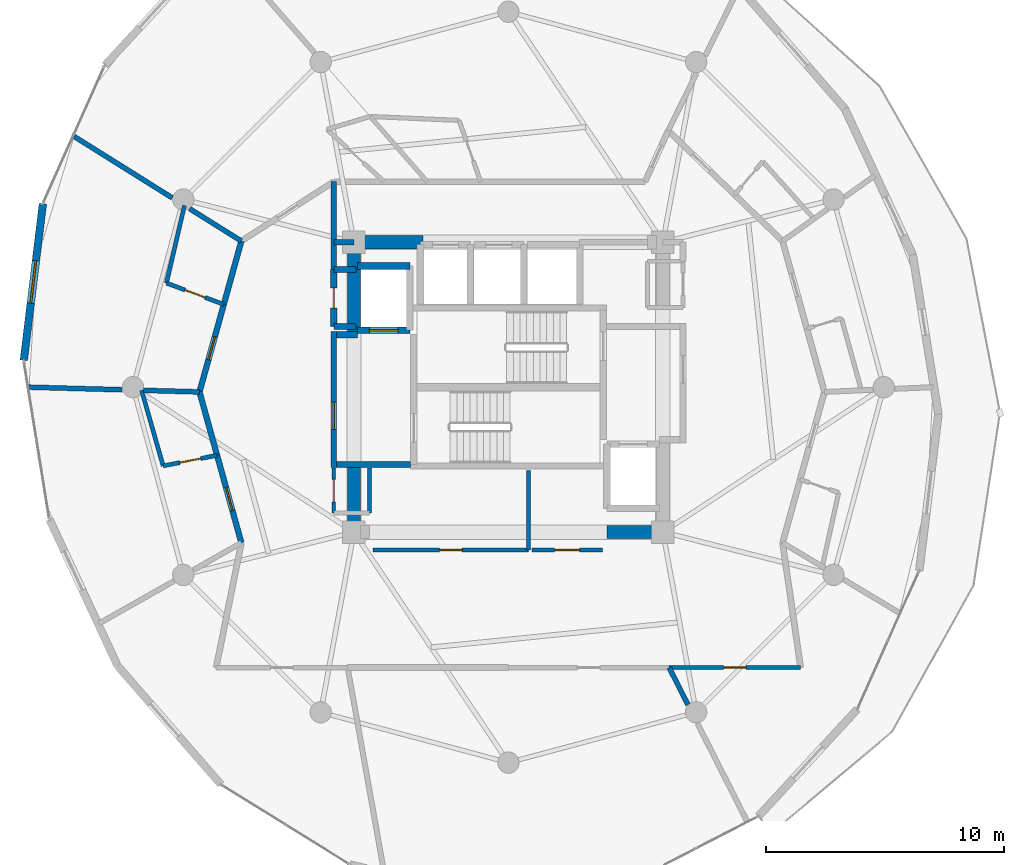
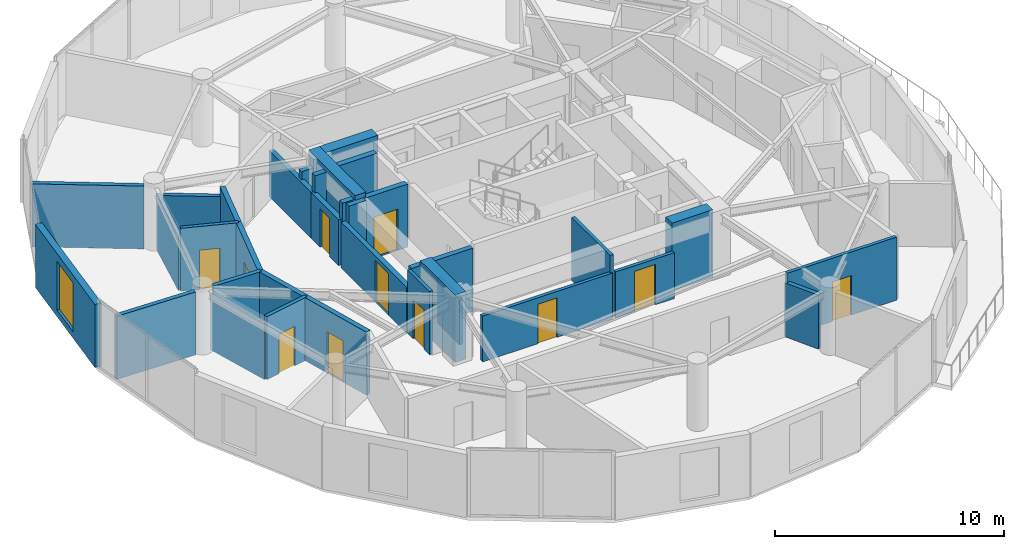
# One storey, part 17 of 22: 34 walls, 11 doors, 1 window, 12 openings.
"""IFC4 building model written with IfcOpenShell, lengths in metres."""

from ifc_helpers import new_model, si_unit, direction, frame, frame_2d, origin, place, context, subcontext, project, spatial, rectangle, extrude, material, layer, layer_set, type_object, element, fill, save


model = new_model("IFC4")

# Units and contexts
model_context = context("Model", 3, precision=1e-05, world=origin(), true_north=direction((0.0, 1.0)))
body_context = subcontext(model_context, "Body", "Model", "MODEL_VIEW")
ifc_project = project(units=[si_unit("LENGTHUNIT", "METRE"), si_unit("AREAUNIT", "SQUARE_METRE"), si_unit("VOLUMEUNIT", "CUBIC_METRE"), si_unit("PLANEANGLEUNIT", "RADIAN"), si_unit("MASSUNIT", "GRAM", prefix="KILO")], contexts=[model_context])

# Site, building, storey
site_placement = place(None, origin())
site = spatial("IfcSite", under=ifc_project, at=site_placement, CompositionType="ELEMENT")
building_placement = place(site_placement, origin())
building = spatial("IfcBuilding", under=site, at=building_placement, Name="Solvirekh Grand Hotel", CompositionType="ELEMENT")
storey_placement = place(building_placement, frame((0.0, 0.0, 227.199951171875)))
storey = spatial("IfcBuildingStorey", under=building, at=storey_placement, Name="L59", CompositionType="ELEMENT", Elevation=227.199951171875)

# Wall, opening, door
ifc_material_1 = material(Name="Concrete C40/50", Category="concrete")
ifc_layer_1 = layer(ifc_material_1, 0.280029296875)
ifc_layer_set_1 = layer_set([ifc_layer_1], Name="Concrete C40/50")
wall_type_1 = type_object("IfcWallType", Name="CoreShaftWall_RC280", PredefinedType="SOLIDWALL", material=ifc_layer_set_1)
wall_1_placement = place(storey_placement, frame((-6.35009765625, 2.39990234375, 0.0), z_axis=(0.0, 0.0, 1.0), x_axis=(1.0, 0.0, 0.0)))
wall_1 = element("IfcWall", 1, at=wall_1_placement, inside=storey, type_object=wall_type_1, Name="L59 FL-1 hoistway S wall", PredefinedType="SOLIDWALL", context=body_context, shape_type="SweptSolid", body=[
    extrude(rectangle(XDim=2.2001953125, YDim=0.280029296875, at=frame_2d((1.10009765625, 0.0))), origin(), (0.0, 0.0, 1.0), 3.360107421875),
])
opening_1_placement = place(wall_1_placement, frame((0.5, 0.0, 0.0)))
opening_1 = element("IfcOpeningElement", 2, at=opening_1_placement, cuts=wall_1, Name="Opening LD02", PredefinedType="OPENING", context=body_context, shape_type="SweptSolid", body=[
    extrude(rectangle(XDim=1.199951171875, YDim=2.199951171875, at=frame_2d((0.60009765625, 1.10009765625))), frame((0.0, 0.14990234375, 0.0), z_axis=(0.0, -1.0, 0.0), x_axis=(1.0, 0.0, 0.0)), (0.0, 0.0, 1.0), 0.300048828125),
])
ifc_material_2 = material(Name="Fire-Rated Steel Door Assembly", Category="steel")
door_type_1 = type_object("IfcDoorType", Name="Door_LiftFF_1200X2200", OperationType="SLIDING_TO_LEFT", PredefinedType="DOOR", material=ifc_material_2)
door_1_placement = place(opening_1_placement, origin())
door_1 = element("IfcDoor", 3, at=door_1_placement, inside=storey, type_object=door_type_1, Name="L59 FL-1 sliding lift landing door", OperationType="SLIDING_TO_LEFT", OverallHeight=2.199951171875, OverallWidth=1.199951171875, PredefinedType="DOOR", context=body_context, shape_type="SweptSolid", body=[
    extrude(rectangle(XDim=1.199951171875, YDim=2.199951171875, at=frame_2d((0.60009765625, 1.10009765625))), frame((0.0, 0.02490234375, 0.0), z_axis=(0.0, -1.0, 0.0), x_axis=(1.0, 0.0, 0.0)), (0.0, 0.0, 1.0), 0.050048828125),
])
fill(opening_1, door_1)

# Walls
wall_2_placement = place(storey_placement, frame((-4.14990234375, 5.10009765625, 0.0), z_axis=(0.0, 0.0, 1.0), x_axis=(-1.0, 0.0, 0.0)))
element("IfcWall", 4, at=wall_2_placement, inside=storey, type_object=wall_type_1, Name="L59 FL-1 hoistway N wall", PredefinedType="SOLIDWALL", context=body_context, shape_type="SweptSolid", body=[
    extrude(rectangle(XDim=2.2001953125, YDim=0.280029296875, at=frame_2d((1.10009765625, 0.0))), origin(), (0.0, 0.0, 1.0), 3.360107421875),
])
ifc_material_3 = material(Name="Concrete C50/60", Category="concrete")
ifc_layer_2 = layer(ifc_material_3, 0.550048828125)
ifc_layer_set_2 = layer_set([ifc_layer_2], Name="Concrete C50/60")
wall_type_2 = type_object("IfcWallType", Name="CoreWall_RC550", PredefinedType="SHEAR", material=ifc_layer_set_2)
wall_3_placement = place(storey_placement, frame((4.14990234375, -6.10009765625, 0.0), z_axis=(0.0, 0.0, 1.0), x_axis=(1.0, 0.0, 0.0)))
element("IfcWall", 5, at=wall_3_placement, inside=storey, type_object=wall_type_2, Name="L59 core corner shear wall SE-S", PredefinedType="SHEAR", context=body_context, shape_type="SweptSolid", body=[
    extrude(rectangle(XDim=2.0751953125, YDim=0.550048828125, at=frame_2d((1.03759765625, 0.0))), origin(), (0.0, 0.0, 1.0), 3.60009765625),
])
wall_4_placement = place(storey_placement, frame((-6.22509765625, 6.10009765625, 0.0), z_axis=(0.0, 0.0, 1.0), x_axis=(1.0, 0.0, 0.0)))
element("IfcWall", 6, at=wall_4_placement, inside=storey, type_object=wall_type_2, Name="L59 core corner shear wall NW-N", PredefinedType="SHEAR", context=body_context, shape_type="SweptSolid", body=[
    extrude(rectangle(XDim=2.625, YDim=0.550048828125, at=frame_2d((1.3125, 0.0))), origin(), (0.0, 0.0, 1.0), 3.60009765625),
])
wall_5_placement = place(storey_placement, frame((-6.5, 2.35009765625, 0.0), z_axis=(0.0, 0.0, 1.0), x_axis=(0.0, 1.0, 0.0)))
element("IfcWall", 7, at=wall_5_placement, inside=storey, type_object=wall_type_2, Name="L59 core corner shear wall WN-W", PredefinedType="SHEAR", context=body_context, shape_type="SweptSolid", body=[
    extrude(rectangle(XDim=4.02490234375, YDim=0.550048828125, at=frame_2d((2.012451171875, 0.0))), origin(), (0.0, 0.0, 1.0), 3.60009765625),
])
wall_6_placement = place(storey_placement, frame((-6.5, -6.375, 0.0), z_axis=(0.0, 0.0, 1.0), x_axis=(0.0, 1.0, 0.0)))
element("IfcWall", 8, at=wall_6_placement, inside=storey, type_object=wall_type_2, Name="L59 core corner shear wall WS-W", PredefinedType="SHEAR", context=body_context, shape_type="SweptSolid", body=[
    extrude(rectangle(XDim=3.02490234375, YDim=0.550048828125, at=frame_2d((1.512451171875, 0.0))), origin(), (0.0, 0.0, 1.0), 3.60009765625),
])

# Wall, opening, window
ifc_material_4 = material(Name="Precast concrete C45/55", Category="concrete")
ifc_layer_3 = layer(ifc_material_4, 0.320068359375)
ifc_layer_set_3 = layer_set([ifc_layer_3], Name="Precast concrete C45/55")
wall_type_3 = type_object("IfcWallType", Name="ExtLobbyWall_RC320", PredefinedType="SOLIDWALL", material=ifc_layer_set_3)
wall_7_placement = place(storey_placement, frame((-20.39599609375, 1.131103515625, 0.0), z_axis=(0.0, 0.0, 1.0), x_axis=(0.12099160472, 0.992653530486, 0.0)))
wall_7 = element("IfcWall", 9, at=wall_7_placement, inside=storey, type_object=wall_type_3, Name="L59 exterior structural wall chord 14", PredefinedType="SOLIDWALL", context=body_context, shape_type="SweptSolid", body=[
    extrude(rectangle(XDim=6.63671875, YDim=0.320068359375, at=frame_2d((3.318359375, 0.0))), origin(), (0.0, 0.0, 1.0), 3.360107421875),
])
opening_2_placement = place(wall_7_placement, frame((2.41796875, 0.0, 0.35009765625)))
opening_2 = element("IfcOpeningElement", 10, at=opening_2_placement, cuts=wall_7, Name="Opening W02", PredefinedType="OPENING", context=body_context, shape_type="SweptSolid", body=[
    extrude(rectangle(XDim=1.800048828125, YDim=2.60009765625, at=frame_2d((0.89990234375, 1.300048828125))), frame((0.0, 0.169921875, 0.0), z_axis=(0.0, -1.0, 0.0), x_axis=(1.0, 0.0, 0.0)), (0.0, 0.0, 1.0), 0.340087890625),
])
ifc_material_5 = material(Name="Low-E Tinted Bronze Laminated Glass", Category="aluminium")
window_type = type_object("IfcWindowType", Name="Win_LobbyExt_1800X2600", PartitioningType="SINGLE_PANEL", PredefinedType="WINDOW", material=ifc_material_5)
window_placement = place(opening_2_placement, origin())
window = element("IfcWindow", 11, at=window_placement, inside=storey, type_object=window_type, Name="L59 panoramic bronze-framed window 14", OverallHeight=2.60009765625, OverallWidth=1.800048828125, PartitioningType="SINGLE_PANEL", PredefinedType="WINDOW", context=body_context, shape_type="SweptSolid", body=[
    extrude(rectangle(XDim=1.800048828125, YDim=2.60009765625, at=frame_2d((0.89990234375, 1.300048828125))), frame((0.0, 0.030029296875, 0.0), z_axis=(0.0, -1.0, 0.0), x_axis=(1.0, 0.0, 0.0)), (0.0, 0.0, 1.0), 0.06005859375),
])
fill(opening_2, window)

# Wall
ifc_material_6 = material(Name="Acoustic Gypsum Partition Assembly")
ifc_layer_4 = layer(ifc_material_6, 0.1650390625)
ifc_layer_set_4 = layer_set([ifc_layer_4], Name="Acoustic Gypsum Partition Assembly")
wall_type_4 = type_object("IfcWallType", Name="Part_BOH_165", PredefinedType="PARTITIONING", material=ifc_layer_set_4)
wall_8_placement = place(storey_placement, frame((-5.85009765625, -5.300048828125, 0.0), z_axis=(0.0, 0.0, 1.0), x_axis=(0.0, 1.0, 0.0)))
element("IfcWall", 12, at=wall_8_placement, inside=storey, type_object=wall_type_4, Name="L59 L59 Butler Service Closet wall 2", PredefinedType="PARTITIONING", context=body_context, shape_type="SweptSolid", body=[
    extrude(rectangle(XDim=1.900146484375, YDim=0.1650390625, at=frame_2d((0.9501953125, 0.0))), origin(), (0.0, 0.0, 1.0), 2.445068359375),
])

# Wall, opening, door
wall_9_placement = place(storey_placement, frame((-7.35009765625, -3.39990234375, 0.0), z_axis=(0.0, 0.0, 1.0), x_axis=(0.0, -1.0, 0.0)))
wall_9 = element("IfcWall", 13, at=wall_9_placement, inside=storey, type_object=wall_type_4, Name="L59 L59 Butler Service Closet wall 4", PredefinedType="PARTITIONING", context=body_context, shape_type="SweptSolid", body=[
    extrude(rectangle(XDim=1.900146484375, YDim=0.1650390625, at=frame_2d((0.9501953125, 0.0))), origin(), (0.0, 0.0, 1.0), 3.360107421875),
])
opening_3_placement = place(wall_9_placement, frame((0.47509765625, 0.0, 0.0)))
opening_3 = element("IfcOpeningElement", 14, at=opening_3_placement, cuts=wall_9, Name="Opening D10", PredefinedType="OPENING", context=body_context, shape_type="SweptSolid", body=[
    extrude(rectangle(XDim=0.949951171875, YDim=2.10009765625, at=frame_2d((0.47509765625, 1.050048828125))), frame((0.0, 0.092529296875, 0.0), z_axis=(0.0, -1.0, 0.0), x_axis=(1.0, 0.0, 0.0)), (0.0, 0.0, 1.0), 0.18505859375),
])
ifc_material_7 = material(Name="Anodized Bronze Aluminium 6063-T6", Category="aluminium")
door_type_2 = type_object("IfcDoorType", Name="Door_RoomInt_950X2100", OperationType="NOTDEFINED", PredefinedType="DOOR", material=ifc_material_7)
door_2_placement = place(opening_3_placement, origin())
door_2 = element("IfcDoor", 15, at=door_2_placement, inside=storey, type_object=door_type_2, Name="L59 L59 Butler Service Closet door", OperationType="SINGLE_SWING_LEFT", OverallHeight=2.10009765625, OverallWidth=0.949951171875, PredefinedType="DOOR", context=body_context, shape_type="SweptSolid", body=[
    extrude(rectangle(XDim=0.949951171875, YDim=2.10009765625, at=frame_2d((0.47509765625, 1.050048828125))), frame((0.0, 0.02490234375, 0.0), z_axis=(0.0, -1.0, 0.0), x_axis=(1.0, 0.0, 0.0)), (0.0, 0.0, 1.0), 0.050048828125),
])
fill(opening_3, door_2)

wall_10_placement = place(storey_placement, frame((-5.699951171875, -6.85009765625, 0.0), z_axis=(0.0, 0.0, 1.0), x_axis=(1.0, 0.0, 0.0)))
wall_10 = element("IfcWall", 16, at=wall_10_placement, inside=storey, type_object=wall_type_4, Name="L59 Housekeeping Linen Room wall 1", PredefinedType="PARTITIONING", context=body_context, shape_type="SweptSolid", body=[
    extrude(rectangle(XDim=6.550048828125, YDim=0.1650390625, at=frame_2d((3.27490234375, 0.0))), origin(), (0.0, 0.0, 1.0), 2.445068359375),
])
opening_4_placement = place(wall_10_placement, frame((2.800048828125, 0.0, 0.0)))
opening_4 = element("IfcOpeningElement", 17, at=opening_4_placement, cuts=wall_10, Name="Opening D10", PredefinedType="OPENING", context=body_context, shape_type="SweptSolid", body=[
    extrude(rectangle(XDim=0.949951171875, YDim=2.10009765625, at=frame_2d((0.47509765625, 1.050048828125))), frame((0.0, 0.092529296875, 0.0), z_axis=(0.0, -1.0, 0.0), x_axis=(1.0, 0.0, 0.0)), (0.0, 0.0, 1.0), 0.18505859375),
])
door_3_placement = place(opening_4_placement, origin())
door_3 = element("IfcDoor", 18, at=door_3_placement, inside=storey, type_object=door_type_2, Name="L59 Housekeeping Linen Room door", OperationType="SINGLE_SWING_LEFT", OverallHeight=2.10009765625, OverallWidth=0.949951171875, PredefinedType="DOOR", context=body_context, shape_type="SweptSolid", body=[
    extrude(rectangle(XDim=0.949951171875, YDim=2.10009765625, at=frame_2d((0.47509765625, 1.050048828125))), frame((0.0, 0.02490234375, 0.0), z_axis=(0.0, -1.0, 0.0), x_axis=(1.0, 0.0, 0.0)), (0.0, 0.0, 1.0), 0.050048828125),
])
fill(opening_4, door_3)

# Wall
wall_11_placement = place(storey_placement, frame((0.85009765625, -6.85009765625, 0.0), z_axis=(0.0, 0.0, 1.0), x_axis=(0.0, 1.0, 0.0)))
element("IfcWall", 19, at=wall_11_placement, inside=storey, type_object=wall_type_4, Name="L59 Housekeeping Linen Room wall 2", PredefinedType="PARTITIONING", context=body_context, shape_type="SweptSolid", body=[
    extrude(rectangle(XDim=3.35009765625, YDim=0.1650390625, at=frame_2d((1.675048828125, 0.0))), origin(), (0.0, 0.0, 1.0), 3.360107421875),
])

# Wall, opening, door
wall_12_placement = place(storey_placement, frame((1.0, -6.85009765625, 0.0), z_axis=(0.0, 0.0, 1.0), x_axis=(1.0, 0.0, 0.0)))
wall_12 = element("IfcWall", 20, at=wall_12_placement, inside=storey, type_object=wall_type_4, Name="L59 Chilled Water Manifold Room wall 1", PredefinedType="PARTITIONING", context=body_context, shape_type="SweptSolid", body=[
    extrude(rectangle(XDim=2.949951171875, YDim=0.1650390625, at=frame_2d((1.47509765625, 0.0))), origin(), (0.0, 0.0, 1.0), 2.445068359375),
])
opening_5_placement = place(wall_12_placement, frame((0.949951171875, 0.0, 0.0)))
opening_5 = element("IfcOpeningElement", 21, at=opening_5_placement, cuts=wall_12, Name="Opening D12", PredefinedType="OPENING", context=body_context, shape_type="SweptSolid", body=[
    extrude(rectangle(XDim=1.050048828125, YDim=2.14990234375, at=frame_2d((0.52490234375, 1.074951171875))), frame((0.0, 0.092529296875, 0.0), z_axis=(0.0, -1.0, 0.0), x_axis=(1.0, 0.0, 0.0)), (0.0, 0.0, 1.0), 0.18505859375),
])
door_type_3 = type_object("IfcDoorType", Name="Door_PlantBOH_1050X2150", OperationType="NOTDEFINED", PredefinedType="DOOR", material=ifc_material_2)
door_4_placement = place(opening_5_placement, origin())
door_4 = element("IfcDoor", 22, at=door_4_placement, inside=storey, type_object=door_type_3, Name="L59 Chilled Water Manifold Room door", OperationType="SINGLE_SWING_RIGHT", OverallHeight=2.14990234375, OverallWidth=1.050048828125, PredefinedType="DOOR", context=body_context, shape_type="SweptSolid", body=[
    extrude(rectangle(XDim=1.050048828125, YDim=2.14990234375, at=frame_2d((0.52490234375, 1.074951171875))), frame((0.0, 0.02490234375, 0.0), z_axis=(0.0, -1.0, 0.0), x_axis=(1.0, 0.0, 0.0)), (0.0, 0.0, 1.0), 0.050048828125),
])
fill(opening_5, door_4)

wall_13_placement = place(storey_placement, frame((6.764892578125, -11.800048828125, 0.0), z_axis=(0.0, 0.0, 1.0), x_axis=(1.0, 0.0, 0.0)))
wall_13 = element("IfcWall", 23, at=wall_13_placement, inside=storey, type_object=wall_type_4, Name="L59 L59 Butler Valet & Linen Steward Room entrance wall", PredefinedType="PARTITIONING", context=body_context, shape_type="SweptSolid", body=[
    extrude(rectangle(XDim=5.53515625, YDim=0.1650390625, at=frame_2d((2.767578125, 0.0))), origin(), (0.0, 0.0, 1.0), 3.360107421875),
])
opening_6_placement = place(wall_13_placement, frame((2.29296875, 0.0, 0.0)))
opening_6 = element("IfcOpeningElement", 24, at=opening_6_placement, cuts=wall_13, Name="Opening D10", PredefinedType="OPENING", context=body_context, shape_type="SweptSolid", body=[
    extrude(rectangle(XDim=0.949951171875, YDim=2.10009765625, at=frame_2d((0.47509765625, 1.050048828125))), frame((0.0, 0.092529296875, 0.0), z_axis=(0.0, -1.0, 0.0), x_axis=(1.0, 0.0, 0.0)), (0.0, 0.0, 1.0), 0.18505859375),
])
door_5_placement = place(opening_6_placement, origin())
door_5 = element("IfcDoor", 25, at=door_5_placement, inside=storey, type_object=door_type_2, Name="L59 L59 Butler Valet & Linen Steward Room entrance door", OperationType="SINGLE_SWING_LEFT", OverallHeight=2.10009765625, OverallWidth=0.949951171875, PredefinedType="DOOR", context=body_context, shape_type="SweptSolid", body=[
    extrude(rectangle(XDim=0.949951171875, YDim=2.10009765625, at=frame_2d((0.47509765625, 1.050048828125))), frame((0.0, 0.02490234375, 0.0), z_axis=(0.0, -1.0, 0.0), x_axis=(1.0, 0.0, 0.0)), (0.0, 0.0, 1.0), 0.050048828125),
])
fill(opening_6, door_5)

ifc_layer_5 = layer(ifc_material_6, 0.239990234375)
ifc_layer_set_5 = layer_set([ifc_layer_5], Name="Acoustic Gypsum Partition Assembly")
wall_type_5 = type_object("IfcWallType", Name="Part_Corridor_240", PredefinedType="PARTITIONING", material=ifc_layer_set_5)
wall_14_placement = place(storey_placement, frame((-7.35009765625, -3.3798828125, 0.0), z_axis=(0.0, 0.0, 1.0), x_axis=(0.0, 1.0, 0.0)))
wall_14 = element("IfcWall", 26, at=wall_14_placement, inside=storey, type_object=wall_type_5, Name="L59 west firefighting lobby smoke screen wall", PredefinedType="PARTITIONING", context=body_context, shape_type="SweptSolid", body=[
    extrude(rectangle(XDim=5.719970703125, YDim=0.239990234375, at=frame_2d((2.85986328125, 0.0))), origin(), (0.0, 0.0, 1.0), 2.445068359375),
])
opening_7_placement = place(wall_14_placement, frame((1.59912109375, 0.0, 0.0)))
opening_7 = element("IfcOpeningElement", 27, at=opening_7_placement, cuts=wall_14, Name="Opening D06", PredefinedType="OPENING", context=body_context, shape_type="SweptSolid", body=[
    extrude(rectangle(XDim=1.14990234375, YDim=2.199951171875, at=frame_2d((0.574951171875, 1.10009765625))), frame((0.0, 0.1298828125, 0.0), z_axis=(0.0, -1.0, 0.0), x_axis=(1.0, 0.0, 0.0)), (0.0, 0.0, 1.0), 0.260009765625),
])
door_type_4 = type_object("IfcDoorType", Name="Door_FFLobby_1150X2200", OperationType="NOTDEFINED", PredefinedType="DOOR", material=ifc_material_2)
door_6_placement = place(opening_7_placement, origin())
door_6 = element("IfcDoor", 28, at=door_6_placement, inside=storey, type_object=door_type_4, Name="L59 west firefighting lobby smoke door", OperationType="SINGLE_SWING_RIGHT", OverallHeight=2.199951171875, OverallWidth=1.14990234375, PredefinedType="DOOR", context=body_context, shape_type="SweptSolid", body=[
    extrude(rectangle(XDim=1.14990234375, YDim=2.199951171875, at=frame_2d((0.574951171875, 1.10009765625))), frame((0.0, 0.02490234375, 0.0), z_axis=(0.0, -1.0, 0.0), x_axis=(1.0, 0.0, 0.0)), (0.0, 0.0, 1.0), 0.050048828125),
])
fill(opening_7, door_6)

# Walls
wall_15_placement = place(storey_placement, frame((-7.35009765625, 4.949951171875, 0.0), z_axis=(0.0, 0.0, 1.0), x_axis=(0.0, 1.0, 0.0)))
element("IfcWall", 29, at=wall_15_placement, inside=storey, type_object=wall_type_5, Name="L59 north lift lobby west wall", PredefinedType="PARTITIONING", context=body_context, shape_type="SweptSolid", body=[
    extrude(rectangle(XDim=3.699951171875, YDim=0.239990234375, at=frame_2d((1.85009765625, 0.0))), origin(), (0.0, 0.0, 1.0), 2.445068359375),
])
wall_16_placement = place(storey_placement, frame((-7.35009765625, 6.10009765625, 0.0), z_axis=(0.0, 0.0, 1.0), x_axis=(1.0, 0.0, 0.0)))
element("IfcWall", 30, at=wall_16_placement, inside=storey, type_object=wall_type_5, Name="L59 NW core corner closure wall", PredefinedType="PARTITIONING", context=body_context, shape_type="SweptSolid", body=[
    extrude(rectangle(XDim=0.85009765625, YDim=0.239990234375, at=frame_2d((0.425048828125, 0.0))), origin(), (0.0, 0.0, 1.0), 2.8759765625),
])
wall_17_placement = place(storey_placement, frame((-11.238037109375, 6.14990234375, 0.0), z_axis=(0.0, 0.0, 1.0), x_axis=(-0.267361785392, -0.963596220266, 0.0)))
element("IfcWall", 31, at=wall_17_placement, inside=storey, type_object=wall_type_5, Name="L59 En-suite Bathroom 6103 corridor backing wall", PredefinedType="PARTITIONING", context=body_context, shape_type="SweptSolid", body=[
    extrude(rectangle(XDim=2.767822265625, YDim=0.239990234375, at=frame_2d((1.3837890625, 0.0))), origin(), (0.0, 0.0, 1.0), 3.360107421875),
])

# Wall, opening, door
wall_18_placement = place(storey_placement, frame((-11.97802734375, 3.48291015625, 0.0), z_axis=(0.0, 0.0, 1.0), x_axis=(-0.267390175797, -0.963588342544, 0.0)))
wall_18 = element("IfcWall", 32, at=wall_18_placement, inside=storey, type_object=wall_type_5, Name="L59 Deluxe Guestroom 6103 entrance wall", PredefinedType="PARTITIONING", context=body_context, shape_type="SweptSolid", body=[
    extrude(rectangle(XDim=3.822021484375, YDim=0.239990234375, at=frame_2d((1.9111328125, 0.0))), origin(), (0.0, 0.0, 1.0), 3.360107421875),
])
opening_8_placement = place(wall_18_placement, frame((1.410888671875, 0.0, 0.0)))
opening_8 = element("IfcOpeningElement", 33, at=opening_8_placement, cuts=wall_18, Name="Opening D07", PredefinedType="OPENING", context=body_context, shape_type="SweptSolid", body=[
    extrude(rectangle(XDim=1.0, YDim=2.199951171875, at=frame_2d((0.5, 1.10009765625))), frame((0.0, 0.1298828125, 0.0), z_axis=(0.0, -1.0, 0.0), x_axis=(1.0, 0.0, 0.0)), (0.0, 0.0, 1.0), 0.260009765625),
])
door_type_5 = type_object("IfcDoorType", Name="Door_GuestEntry_1000X2200", OperationType="NOTDEFINED", PredefinedType="DOOR", material=ifc_material_2)
door_7_placement = place(opening_8_placement, origin())
door_7 = element("IfcDoor", 34, at=door_7_placement, inside=storey, type_object=door_type_5, Name="L59 Deluxe Guestroom 6103 entrance door", OperationType="SINGLE_SWING_RIGHT", OverallHeight=2.199951171875, OverallWidth=1.0, PredefinedType="DOOR", context=body_context, shape_type="SweptSolid", body=[
    extrude(rectangle(XDim=1.0, YDim=2.199951171875, at=frame_2d((0.5, 1.10009765625))), frame((0.0, 0.02490234375, 0.0), z_axis=(0.0, -1.0, 0.0), x_axis=(1.0, 0.0, 0.0)), (0.0, 0.0, 1.0), 0.050048828125),
])
fill(opening_8, door_7)

# Wall
wall_19_placement = place(storey_placement, frame((-13.0, -0.199951171875, 0.0), z_axis=(0.0, 0.0, 1.0), x_axis=(0.267361785392, -0.963596220266, 0.0)))
element("IfcWall", 35, at=wall_19_placement, inside=storey, type_object=wall_type_5, Name="L59 En-suite Bathroom 6104 corridor backing wall", PredefinedType="PARTITIONING", context=body_context, shape_type="SweptSolid", body=[
    extrude(rectangle(XDim=2.767822265625, YDim=0.239990234375, at=frame_2d((1.3837890625, 0.0))), origin(), (0.0, 0.0, 1.0), 3.360107421875),
])

# Wall, opening, door
wall_20_placement = place(storey_placement, frame((-12.260009765625, -2.866943359375, 0.0), z_axis=(0.0, 0.0, 1.0), x_axis=(0.267373718537, -0.963592909187, 0.0)))
wall_20 = element("IfcWall", 36, at=wall_20_placement, inside=storey, type_object=wall_type_5, Name="L59 Deluxe Guestroom 6104 entrance wall", PredefinedType="PARTITIONING", context=body_context, shape_type="SweptSolid", body=[
    extrude(rectangle(XDim=3.822265625, YDim=0.239990234375, at=frame_2d((1.9111328125, 0.0))), origin(), (0.0, 0.0, 1.0), 3.360107421875),
])
opening_9_placement = place(wall_20_placement, frame((1.410888671875, 0.0, 0.0)))
opening_9 = element("IfcOpeningElement", 37, at=opening_9_placement, cuts=wall_20, Name="Opening D07", PredefinedType="OPENING", context=body_context, shape_type="SweptSolid", body=[
    extrude(rectangle(XDim=1.0, YDim=2.199951171875, at=frame_2d((0.5, 1.10009765625))), frame((0.0, 0.1298828125, 0.0), z_axis=(0.0, -1.0, 0.0), x_axis=(1.0, 0.0, 0.0)), (0.0, 0.0, 1.0), 0.260009765625),
])
door_8_placement = place(opening_9_placement, origin())
door_8 = element("IfcDoor", 38, at=door_8_placement, inside=storey, type_object=door_type_5, Name="L59 Deluxe Guestroom 6104 entrance door", OperationType="SINGLE_SWING_RIGHT", OverallHeight=2.199951171875, OverallWidth=1.0, PredefinedType="DOOR", context=body_context, shape_type="SweptSolid", body=[
    extrude(rectangle(XDim=1.0, YDim=2.199951171875, at=frame_2d((0.5, 1.10009765625))), frame((0.0, 0.02490234375, 0.0), z_axis=(0.0, -1.0, 0.0), x_axis=(1.0, 0.0, 0.0)), (0.0, 0.0, 1.0), 0.050048828125),
])
fill(opening_9, door_8)

# Walls
ifc_layer_6 = layer(ifc_material_6, 0.260009765625)
ifc_layer_set_6 = layer_set([ifc_layer_6], Name="Acoustic Gypsum Partition Assembly")
wall_type_6 = type_object("IfcWallType", Name="Part_LobbyFF_260", PredefinedType="PARTITIONING", material=ifc_layer_set_6)
wall_21_placement = place(storey_placement, frame((-7.22509765625, -3.25, 0.0), z_axis=(0.0, 0.0, 1.0), x_axis=(1.0, 0.0, 0.0)))
element("IfcWall", 39, at=wall_21_placement, inside=storey, type_object=wall_type_6, Name="L59 west firefighting lobby south partition", PredefinedType="PARTITIONING", context=body_context, shape_type="SweptSolid", body=[
    extrude(rectangle(XDim=3.09521484375, YDim=0.260009765625, at=frame_2d((1.547607421875, 0.0))), origin(), (0.0, 0.0, 1.0), 3.360107421875),
])
wall_22_placement = place(storey_placement, frame((-7.22509765625, 2.2099609375, 0.0), z_axis=(0.0, 0.0, 1.0), x_axis=(1.0, 0.0, 0.0)))
element("IfcWall", 40, at=wall_22_placement, inside=storey, type_object=wall_type_6, Name="L59 west firefighting lobby NW cheek", PredefinedType="PARTITIONING", context=body_context, shape_type="SweptSolid", body=[
    extrude(rectangle(XDim=0.875, YDim=0.260009765625, at=frame_2d((0.4375, 0.0))), origin(), (0.0, 0.0, 1.0), 3.360107421875),
])
for number, where, z_axis, x_axis, name in (
    (41, (-7.35009765625, 4.949951171875, 0.0), (0.0, 0.0, 1.0), (1.0, 0.0, 0.0), "L59 NW telecom metering cupboard north wall"),
    (42, (-7.35009765625, 2.550048828125, 0.0), (0.0, 0.0, 1.0), (1.0, 0.0, 0.0), "L59 NW telecom metering cupboard south wall"),
):
    element("IfcWall", number, at=place(storey_placement, frame(where, z_axis=z_axis, x_axis=x_axis)), inside=storey, type_object=wall_type_6, Name=name, PredefinedType="PARTITIONING", context=body_context, shape_type="SweptSolid", body=[
        extrude(rectangle(XDim=0.93017578125, YDim=0.260009765625, at=frame_2d((0.465087890625, 0.0))), origin(), (0.0, 0.0, 1.0), 3.360107421875),
    ])

# Wall, opening, door
wall_23_placement = place(storey_placement, frame((-7.35009765625, 2.550048828125, 0.0), z_axis=(0.0, 0.0, 1.0), x_axis=(0.0, 1.0, 0.0)))
wall_23 = element("IfcWall", 43, at=wall_23_placement, inside=storey, type_object=wall_type_6, Name="L59 NW telecom metering cupboard access wall", PredefinedType="PARTITIONING", context=body_context, shape_type="SweptSolid", body=[
    extrude(rectangle(XDim=2.39990234375, YDim=0.260009765625, at=frame_2d((1.199951171875, 0.0))), origin(), (0.0, 0.0, 1.0), 2.445068359375),
])
opening_10_placement = place(wall_23_placement, frame((0.77490234375, 0.0, 0.0)))
opening_10 = element("IfcOpeningElement", 44, at=opening_10_placement, cuts=wall_23, Name="Opening D13", PredefinedType="OPENING", context=body_context, shape_type="SweptSolid", body=[
    extrude(rectangle(XDim=0.85009765625, YDim=2.050048828125, at=frame_2d((0.425048828125, 1.02490234375))), frame((0.0, 0.14013671875, 0.0), z_axis=(0.0, -1.0, 0.0), x_axis=(1.0, 0.0, 0.0)), (0.0, 0.0, 1.0), 0.280029296875),
])
door_type_6 = type_object("IfcDoorType", Name="Door_RiserShaft_850X2050", OperationType="NOTDEFINED", PredefinedType="DOOR", material=ifc_material_2)
door_9_placement = place(opening_10_placement, origin())
door_9 = element("IfcDoor", 45, at=door_9_placement, inside=storey, type_object=door_type_6, Name="L59 telecom metering cupboard access door", OperationType="SINGLE_SWING_RIGHT", OverallHeight=2.050048828125, OverallWidth=0.85009765625, PredefinedType="DOOR", context=body_context, shape_type="SweptSolid", body=[
    extrude(rectangle(XDim=0.85009765625, YDim=2.050048828125, at=frame_2d((0.425048828125, 1.02490234375))), frame((0.0, 0.02490234375, 0.0), z_axis=(0.0, -1.0, 0.0), x_axis=(1.0, 0.0, 0.0)), (0.0, 0.0, 1.0), 0.050048828125),
])
fill(opening_10, door_9)

# Walls
ifc_layer_7 = layer(ifc_material_6, 0.2099609375)
ifc_layer_set_7 = layer_set([ifc_layer_7], Name="Acoustic Gypsum Partition Assembly")
wall_type_7 = type_object("IfcWallType", Name="Part_SuiteDemise_210", PredefinedType="PARTITIONING", material=ifc_layer_set_7)
wall_24_placement = place(storey_placement, frame((-11.238037109375, 6.14990234375, 0.0), z_axis=(0.0, 0.0, 1.0), x_axis=(-0.847790113394, 0.530331899504, 0.0)))
element("IfcWall", 46, at=wall_24_placement, inside=storey, type_object=wall_type_7, Name="L59 suite radial wall 6 (A)", PredefinedType="PARTITIONING", context=body_context, shape_type="SweptSolid", body=[
    extrude(rectangle(XDim=2.570068359375, YDim=0.2099609375, at=frame_2d((1.28515625, 0.0))), origin(), (0.0, 0.0, 1.0), 2.8759765625),
])
wall_25_placement = place(storey_placement, frame((-14.14794921875, 7.969970703125, 0.0), z_axis=(0.0, 0.0, 1.0), x_axis=(-0.847922320674, 0.530120493946, 0.0)))
element("IfcWall", 47, at=wall_25_placement, inside=storey, type_object=wall_type_7, Name="L59 suite radial wall 6 (B)", PredefinedType="PARTITIONING", context=body_context, shape_type="SweptSolid", body=[
    extrude(rectangle(XDim=4.874267578125, YDim=0.2099609375, at=frame_2d((2.43701171875, 0.0))), origin(), (0.0, 0.0, 1.0), 3.360107421875),
])
wall_26_placement = place(storey_placement, frame((-13.0, -0.199951171875, 0.0), z_axis=(0.0, 0.0, 1.0), x_axis=(-0.999606857812, 0.028038006608, 0.0)))
element("IfcWall", 48, at=wall_26_placement, inside=storey, type_object=wall_type_7, Name="L59 suite radial wall 7 (A)", PredefinedType="PARTITIONING", context=body_context, shape_type="SweptSolid", body=[
    extrude(rectangle(XDim=2.35107421875, YDim=0.2099609375, at=frame_2d((1.175537109375, 0.0))), origin(), (0.0, 0.0, 1.0), 3.360107421875),
])
wall_27_placement = place(storey_placement, frame((-16.257080078125, -0.10888671875, 0.0), z_axis=(0.0, 0.0, 1.0), x_axis=(-0.999613843988, 0.027787819398, 0.0)))
element("IfcWall", 49, at=wall_27_placement, inside=storey, type_object=wall_type_7, Name="L59 suite radial wall 7 (B)", PredefinedType="PARTITIONING", context=body_context, shape_type="SweptSolid", body=[
    extrude(rectangle(XDim=3.91845703125, YDim=0.2099609375, at=frame_2d((1.959228515625, 0.0))), origin(), (0.0, 0.0, 1.0), 3.360107421875),
])
wall_28_placement = place(storey_placement, frame((6.764892578125, -11.800048828125, 0.0), z_axis=(0.0, 0.0, 1.0), x_axis=(0.452225083285, -0.891903847983, 0.0)))
element("IfcWall", 50, at=wall_28_placement, inside=storey, type_object=wall_type_7, Name="L59 L59 Riverfront Reading Lounge dividing partition 1 (A)", PredefinedType="PARTITIONING", context=body_context, shape_type="SweptSolid", body=[
    extrude(rectangle(XDim=1.751220703125, YDim=0.2099609375, at=frame_2d((0.87548828125, 0.0))), origin(), (0.0, 0.0, 1.0), 2.8759765625),
])
ifc_layer_8 = layer(ifc_material_6, 0.175048828125)
ifc_layer_set_8 = layer_set([ifc_layer_8], Name="Acoustic Gypsum Partition Assembly")
wall_type_8 = type_object("IfcWallType", Name="Plumb_Ensuite_175", PredefinedType="PLUMBINGWALL", material=ifc_layer_set_8)
wall_29_placement = place(storey_placement, frame((-13.633056640625, 7.64697265625, 0.0), z_axis=(0.0, 0.0, 1.0), x_axis=(-0.226023632271, -0.974121818694, 0.0)))
element("IfcWall", 51, at=wall_29_placement, inside=storey, type_object=wall_type_8, Name="L59 En-suite Bathroom 6103 outer plumbing wall", PredefinedType="PLUMBINGWALL", context=body_context, shape_type="SweptSolid", body=[
    extrude(rectangle(XDim=3.35400390625, YDim=0.175048828125, at=frame_2d((1.677001953125, 0.0))), origin(), (0.0, 0.0, 1.0), 2.928955078125),
])

# Wall, opening, door
wall_30_placement = place(storey_placement, frame((-11.97802734375, 3.48291015625, 0.0), z_axis=(0.0, 0.0, 1.0), x_axis=(-0.937338572647, 0.348419861989, 0.0)))
wall_30 = element("IfcWall", 52, at=wall_30_placement, inside=storey, type_object=wall_type_8, Name="L59 En-suite Bathroom 6103 entry plumbing wall", PredefinedType="PLUMBINGWALL", context=body_context, shape_type="SweptSolid", body=[
    extrude(rectangle(XDim=2.574462890625, YDim=0.175048828125, at=frame_2d((1.287109375, 0.0))), origin(), (0.0, 0.0, 1.0), 3.360107421875),
])
opening_11_placement = place(wall_30_placement, frame((0.8369140625, 0.0, 0.0)))
opening_11 = element("IfcOpeningElement", 53, at=opening_11_placement, cuts=wall_30, Name="Opening D09", PredefinedType="OPENING", context=body_context, shape_type="SweptSolid", body=[
    extrude(rectangle(XDim=0.89990234375, YDim=2.10009765625, at=frame_2d((0.449951171875, 1.050048828125))), frame((0.0, 0.09765625, 0.0), z_axis=(0.0, -1.0, 0.0), x_axis=(1.0, 0.0, 0.0)), (0.0, 0.0, 1.0), 0.195068359375),
])
door_type_7 = type_object("IfcDoorType", Name="Door_Ensuite_900X2100", OperationType="NOTDEFINED", PredefinedType="DOOR", material=ifc_material_7)
door_10_placement = place(opening_11_placement, origin())
door_10 = element("IfcDoor", 54, at=door_10_placement, inside=storey, type_object=door_type_7, Name="L59 En-suite Bathroom 6103 door", OperationType="SINGLE_SWING_LEFT", OverallHeight=2.10009765625, OverallWidth=0.89990234375, PredefinedType="DOOR", context=body_context, shape_type="SweptSolid", body=[
    extrude(rectangle(XDim=0.89990234375, YDim=2.10009765625, at=frame_2d((0.449951171875, 1.050048828125))), frame((0.0, 0.02490234375, 0.0), z_axis=(0.0, -1.0, 0.0), x_axis=(1.0, 0.0, 0.0)), (0.0, 0.0, 1.0), 0.050048828125),
])
fill(opening_11, door_10)

# Wall
wall_31_placement = place(storey_placement, frame((-15.43896484375, -0.132080078125, 0.0), z_axis=(0.0, 0.0, 1.0), x_axis=(0.27447742631, -0.961593543264, 0.0)))
element("IfcWall", 55, at=wall_31_placement, inside=storey, type_object=wall_type_8, Name="L59 En-suite Bathroom 6104 outer plumbing wall", PredefinedType="PLUMBINGWALL", context=body_context, shape_type="SweptSolid", body=[
    extrude(rectangle(XDim=3.307861328125, YDim=0.175048828125, at=frame_2d((1.65380859375, 0.0))), origin(), (0.0, 0.0, 1.0), 2.928955078125),
])

# Wall, opening, door
wall_32_placement = place(storey_placement, frame((-12.260009765625, -2.866943359375, 0.0), z_axis=(0.0, 0.0, 1.0), x_axis=(-0.981252383054, -0.192727166614, 0.0)))
wall_32 = element("IfcWall", 56, at=wall_32_placement, inside=storey, type_object=wall_type_8, Name="L59 En-suite Bathroom 6104 entry plumbing wall", PredefinedType="PLUMBINGWALL", context=body_context, shape_type="SweptSolid", body=[
    extrude(rectangle(XDim=2.314453125, YDim=0.175048828125, at=frame_2d((1.1572265625, 0.0))), origin(), (0.0, 0.0, 1.0), 3.360107421875),
])
opening_12_placement = place(wall_32_placement, frame((0.70703125, 0.0, 0.0)))
opening_12 = element("IfcOpeningElement", 57, at=opening_12_placement, cuts=wall_32, Name="Opening D09", PredefinedType="OPENING", context=body_context, shape_type="SweptSolid", body=[
    extrude(rectangle(XDim=0.89990234375, YDim=2.10009765625, at=frame_2d((0.449951171875, 1.050048828125))), frame((0.0, 0.09765625, 0.0), z_axis=(0.0, -1.0, 0.0), x_axis=(1.0, 0.0, 0.0)), (0.0, 0.0, 1.0), 0.195068359375),
])
door_11_placement = place(opening_12_placement, origin())
door_11 = element("IfcDoor", 58, at=door_11_placement, inside=storey, type_object=door_type_7, Name="L59 En-suite Bathroom 6104 door", OperationType="SINGLE_SWING_LEFT", OverallHeight=2.10009765625, OverallWidth=0.89990234375, PredefinedType="DOOR", context=body_context, shape_type="SweptSolid", body=[
    extrude(rectangle(XDim=0.89990234375, YDim=2.10009765625, at=frame_2d((0.449951171875, 1.050048828125))), frame((0.0, 0.02490234375, 0.0), z_axis=(0.0, -1.0, 0.0), x_axis=(1.0, 0.0, 0.0)), (0.0, 0.0, 1.0), 0.050048828125),
])
fill(opening_12, door_11)

save(model, "model.ifc")
